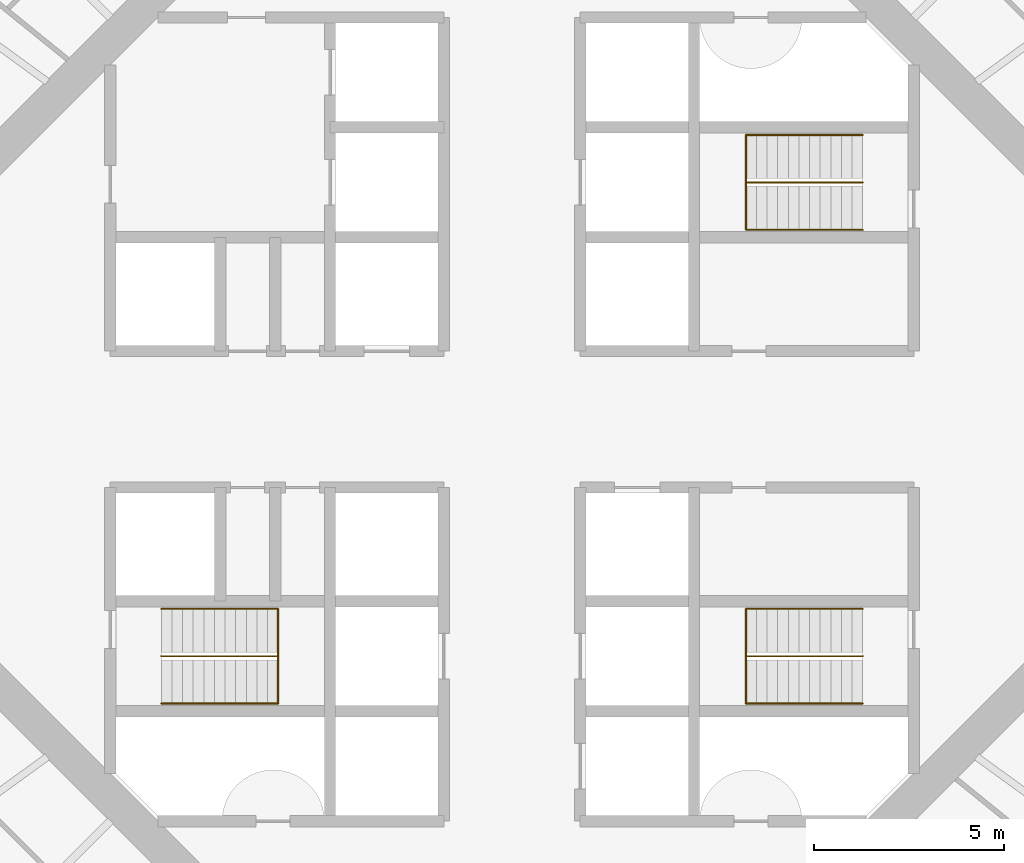
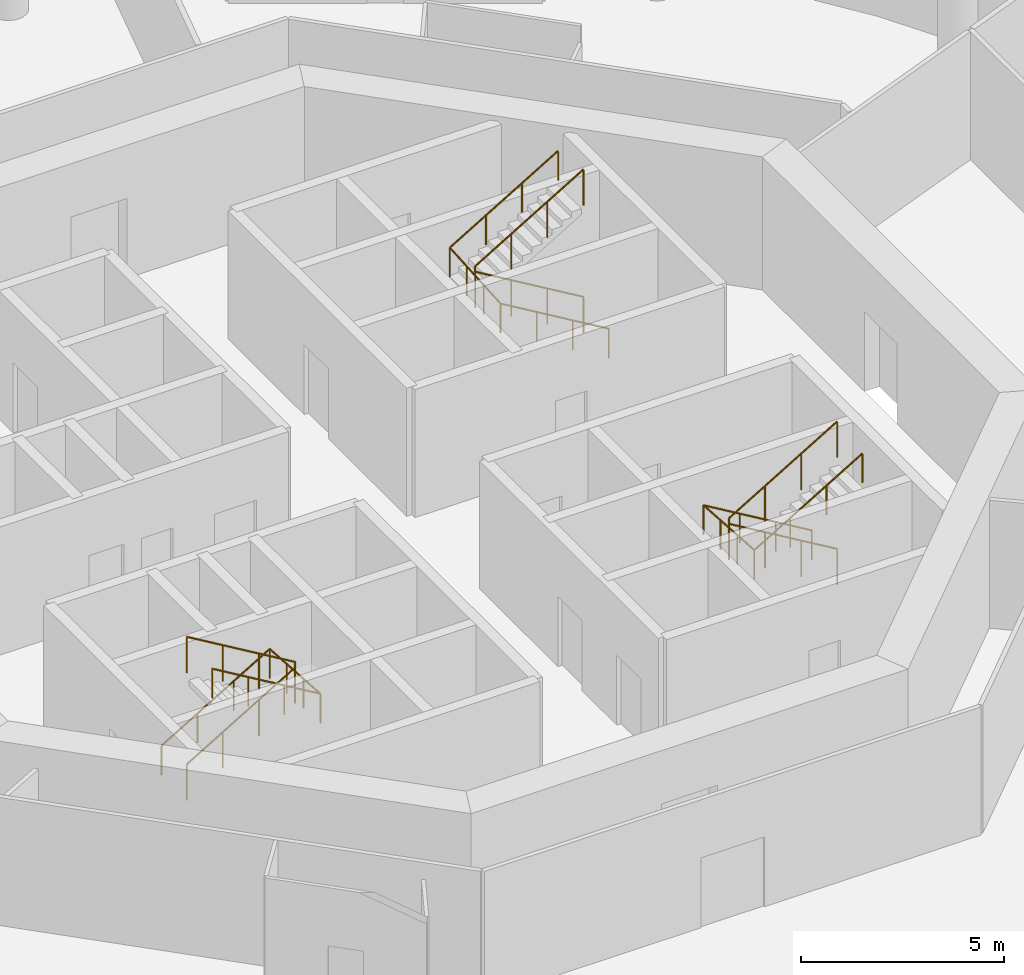
# One storey, part 12 of 12: 6 railings.
"""IFC4 building model written with IfcOpenShell, lengths in metres."""

from ifc_helpers import new_model, si_unit, direction, frame, origin, origin_2d, place, context, subcontext, project, spatial, circle, extrude, material, type_object, element, save


model = new_model("IFC4")

# Units and contexts
model_context = context("Model", 3, precision=1e-05, world=origin(), true_north=direction((0.0, 1.0)))
body_context = subcontext(model_context, "Body", "Model", "MODEL_VIEW")
ifc_project = project(units=[si_unit("LENGTHUNIT", "METRE"), si_unit("AREAUNIT", "SQUARE_METRE"), si_unit("VOLUMEUNIT", "CUBIC_METRE"), si_unit("PLANEANGLEUNIT", "RADIAN"), si_unit("MASSUNIT", "GRAM", prefix="KILO")], contexts=[model_context])

# Site, building, storey
site_placement = place(None, origin())
site = spatial("IfcSite", under=ifc_project, at=site_placement, CompositionType="ELEMENT")
building_placement = place(site_placement, origin())
building = spatial("IfcBuilding", under=site, at=building_placement, Name="Entoto Ring Tower", CompositionType="ELEMENT")
storey_placement = place(building_placement, frame((0.0, 0.0, 206.0)))
storey = spatial("IfcBuildingStorey", under=building, at=storey_placement, Name="L47", CompositionType="ELEMENT", Elevation=206.0)

# Railings
ifc_material_1 = material(Name="Steel S275", Category="steel")
railing_type_1 = type_object("IfcRailingType", Name="Stair guard 1100 mm steel", PredefinedType="GUARDRAIL", material=ifc_material_1)
railing_1_placement = place(storey_placement, frame((99.25, 86.25, 0.166748046875)))
element("IfcRailing", 1, at=railing_1_placement, inside=storey, type_object=railing_type_1, Name="Guard ST1", PredefinedType="GUARDRAIL", context=body_context, shape_type="SweptSolid", body=[
    extrude(circle(Radius=0.02392578125, at=origin_2d()), frame((0.0, 0.0, 1.076171875), z_axis=(-0.859308565015, 0.0, 0.511457515432), x_axis=(0.0, -1.0, 0.0)), (0.0, 0.0, 1.0), 3.58447265625),
    extrude(circle(Radius=0.02392578125, at=origin_2d()), frame((-3.080078125, 0.0, 2.9091796875), z_axis=(0.0, 0.0, 1.0), x_axis=(1.0, 0.0, 0.0)), (0.0, 0.0, 1.0), 0.166748046875),
    extrude(circle(Radius=0.02392578125, at=origin_2d()), frame((-3.080078125, 0.0, 3.076171875), z_axis=(0.859308565015, 0.0, 0.511457515432), x_axis=(0.0, 1.0, 0.0)), (0.0, 0.0, 1.0), 3.58447265625),
    extrude(circle(Radius=0.02099609375, at=origin_2d()), origin(), (0.0, 0.0, 1.0), 1.052001953125),
    extrude(circle(Radius=0.02099609375, at=origin_2d()), frame((-1.026611328125, 0.0, 0.611083984375)), (0.0, 0.0, 1.0), 1.052001953125),
    extrude(circle(Radius=0.02099609375, at=origin_2d()), frame((-2.053466796875, 0.0, 1.22216796875)), (0.0, 0.0, 1.0), 1.052001953125),
    extrude(circle(Radius=0.02099609375, at=origin_2d()), frame((-3.080078125, 0.0, 1.833251953125)), (0.0, 0.0, 1.0), 1.052001953125),
    extrude(circle(Radius=0.02099609375, at=origin_2d()), frame((-3.080078125, 0.0, 2.0)), (0.0, 0.0, 1.0), 1.052001953125),
    extrude(circle(Radius=0.02099609375, at=origin_2d()), frame((-2.053466796875, 0.0, 2.611083984375)), (0.0, 0.0, 1.0), 1.052001953125),
    extrude(circle(Radius=0.02099609375, at=origin_2d()), frame((-1.026611328125, 0.0, 3.22216796875)), (0.0, 0.0, 1.0), 1.052001953125),
    extrude(circle(Radius=0.02099609375, at=origin_2d()), frame((0.0, 0.0, 3.833251953125)), (0.0, 0.0, 1.0), 1.052001953125),
])
railing_2_placement = place(storey_placement, frame((80.75, 73.75, 0.166748046875)))
element("IfcRailing", 2, at=railing_2_placement, inside=storey, type_object=railing_type_1, Name="Guard ST2", PredefinedType="GUARDRAIL", context=body_context, shape_type="SweptSolid", body=[
    extrude(circle(Radius=0.02392578125, at=origin_2d()), frame((0.0, 0.0, 1.076171875), z_axis=(0.859308565015, 0.0, 0.511457515432), x_axis=(0.0, 1.0, 0.0)), (0.0, 0.0, 1.0), 3.58447265625),
    extrude(circle(Radius=0.02392578125, at=origin_2d()), frame((3.080078125, 0.0, 2.9091796875), z_axis=(0.0, 0.0, 1.0), x_axis=(1.0, 0.0, 0.0)), (0.0, 0.0, 1.0), 0.166748046875),
    extrude(circle(Radius=0.02392578125, at=origin_2d()), frame((3.080078125, 0.0, 3.076171875), z_axis=(-0.859308565015, 0.0, 0.511457515432), x_axis=(0.0, -1.0, 0.0)), (0.0, 0.0, 1.0), 3.58447265625),
    extrude(circle(Radius=0.02099609375, at=origin_2d()), origin(), (0.0, 0.0, 1.0), 1.052001953125),
    extrude(circle(Radius=0.02099609375, at=origin_2d()), frame((1.026611328125, 0.0, 0.611083984375)), (0.0, 0.0, 1.0), 1.052001953125),
    extrude(circle(Radius=0.02099609375, at=origin_2d()), frame((2.053466796875, 0.0, 1.22216796875)), (0.0, 0.0, 1.0), 1.052001953125),
    extrude(circle(Radius=0.02099609375, at=origin_2d()), frame((3.080078125, 0.0, 1.833251953125)), (0.0, 0.0, 1.0), 1.052001953125),
    extrude(circle(Radius=0.02099609375, at=origin_2d()), frame((3.080078125, 0.0, 2.0)), (0.0, 0.0, 1.0), 1.052001953125),
    extrude(circle(Radius=0.02099609375, at=origin_2d()), frame((2.053466796875, 0.0, 2.611083984375)), (0.0, 0.0, 1.0), 1.052001953125),
    extrude(circle(Radius=0.02099609375, at=origin_2d()), frame((1.026611328125, 0.0, 3.22216796875)), (0.0, 0.0, 1.0), 1.052001953125),
    extrude(circle(Radius=0.02099609375, at=origin_2d()), frame((0.0, 0.0, 3.833251953125)), (0.0, 0.0, 1.0), 1.052001953125),
])
railing_3_placement = place(storey_placement, frame((99.25, 73.75, 0.166748046875)))
element("IfcRailing", 3, at=railing_3_placement, inside=storey, type_object=railing_type_1, Name="Guard ST3", PredefinedType="GUARDRAIL", context=body_context, shape_type="SweptSolid", body=[
    extrude(circle(Radius=0.02392578125, at=origin_2d()), frame((0.0, 0.0, 1.076171875), z_axis=(-0.859308565015, 0.0, 0.511457515432), x_axis=(0.0, -1.0, 0.0)), (0.0, 0.0, 1.0), 3.58447265625),
    extrude(circle(Radius=0.02392578125, at=origin_2d()), frame((-3.080078125, 0.0, 2.9091796875), z_axis=(0.0, 0.0, 1.0), x_axis=(1.0, 0.0, 0.0)), (0.0, 0.0, 1.0), 0.166748046875),
    extrude(circle(Radius=0.02392578125, at=origin_2d()), frame((-3.080078125, 0.0, 3.076171875), z_axis=(0.859308565015, 0.0, 0.511457515432), x_axis=(0.0, 1.0, 0.0)), (0.0, 0.0, 1.0), 3.58447265625),
    extrude(circle(Radius=0.02099609375, at=origin_2d()), origin(), (0.0, 0.0, 1.0), 1.052001953125),
    extrude(circle(Radius=0.02099609375, at=origin_2d()), frame((-1.026611328125, 0.0, 0.611083984375)), (0.0, 0.0, 1.0), 1.052001953125),
    extrude(circle(Radius=0.02099609375, at=origin_2d()), frame((-2.053466796875, 0.0, 1.22216796875)), (0.0, 0.0, 1.0), 1.052001953125),
    extrude(circle(Radius=0.02099609375, at=origin_2d()), frame((-3.080078125, 0.0, 1.833251953125)), (0.0, 0.0, 1.0), 1.052001953125),
    extrude(circle(Radius=0.02099609375, at=origin_2d()), frame((-3.080078125, 0.0, 2.0)), (0.0, 0.0, 1.0), 1.052001953125),
    extrude(circle(Radius=0.02099609375, at=origin_2d()), frame((-2.053466796875, 0.0, 2.611083984375)), (0.0, 0.0, 1.0), 1.052001953125),
    extrude(circle(Radius=0.02099609375, at=origin_2d()), frame((-1.026611328125, 0.0, 3.22216796875)), (0.0, 0.0, 1.0), 1.052001953125),
    extrude(circle(Radius=0.02099609375, at=origin_2d()), frame((0.0, 0.0, 3.833251953125)), (0.0, 0.0, 1.0), 1.052001953125),
])
ifc_material_2 = material(Name="Steel S275", Category="steel")
railing_type_2 = type_object("IfcRailingType", Name="Stair handrail 900 mm steel", PredefinedType="HANDRAIL", material=ifc_material_2)
railing_4_placement = place(storey_placement, frame((99.25, 85.0, 0.166748046875)))
element("IfcRailing", 4, at=railing_4_placement, inside=storey, type_object=railing_type_2, Name="Handrail ST1", PredefinedType="HANDRAIL", context=body_context, shape_type="SweptSolid", body=[
    extrude(circle(Radius=0.02392578125, at=origin_2d()), frame((0.0, 0.0, 0.8759765625), z_axis=(-0.859308565015, 0.0, 0.511457515432), x_axis=(0.0, -1.0, 0.0)), (0.0, 0.0, 1.0), 3.58447265625),
    extrude(circle(Radius=0.02392578125, at=origin_2d()), frame((-3.080078125, 0.0, 2.708984375), z_axis=(0.0, 0.997783001586, 0.066551346688), x_axis=(-1.0, 0.0, 0.0)), (0.0, 0.0, 1.0), 2.505615234375),
    extrude(circle(Radius=0.02392578125, at=origin_2d()), frame((-3.080078125, 2.5, 2.8759765625), z_axis=(0.859308565015, 0.0, 0.511457515432), x_axis=(0.0, 1.0, 0.0)), (0.0, 0.0, 1.0), 3.58447265625),
    extrude(circle(Radius=0.02099609375, at=origin_2d()), origin(), (0.0, 0.0, 1.0), 0.851806640625),
    extrude(circle(Radius=0.02099609375, at=origin_2d()), frame((-1.026611328125, 0.0, 0.611083984375)), (0.0, 0.0, 1.0), 0.851806640625),
    extrude(circle(Radius=0.02099609375, at=origin_2d()), frame((-2.053466796875, 0.0, 1.22216796875)), (0.0, 0.0, 1.0), 0.851806640625),
    extrude(circle(Radius=0.02099609375, at=origin_2d()), frame((-3.080078125, 0.0, 1.833251953125)), (0.0, 0.0, 1.0), 0.851806640625),
    extrude(circle(Radius=0.02099609375, at=origin_2d()), frame((-3.080078125, 0.833251953125, 1.888916015625)), (0.0, 0.0, 1.0), 0.851806640625),
    extrude(circle(Radius=0.02099609375, at=origin_2d()), frame((-3.080078125, 1.666748046875, 1.9443359375)), (0.0, 0.0, 1.0), 0.851806640625),
    extrude(circle(Radius=0.02099609375, at=origin_2d()), frame((-3.080078125, 2.5, 2.0)), (0.0, 0.0, 1.0), 0.851806640625),
    extrude(circle(Radius=0.02099609375, at=origin_2d()), frame((-2.053466796875, 2.5, 2.611083984375)), (0.0, 0.0, 1.0), 0.851806640625),
    extrude(circle(Radius=0.02099609375, at=origin_2d()), frame((-1.026611328125, 2.5, 3.22216796875)), (0.0, 0.0, 1.0), 0.851806640625),
    extrude(circle(Radius=0.02099609375, at=origin_2d()), frame((0.0, 2.5, 3.833251953125)), (0.0, 0.0, 1.0), 0.851806640625),
])
railing_5_placement = place(storey_placement, frame((80.75, 75.0, 0.166748046875)))
element("IfcRailing", 5, at=railing_5_placement, inside=storey, type_object=railing_type_2, Name="Handrail ST2", PredefinedType="HANDRAIL", context=body_context, shape_type="SweptSolid", body=[
    extrude(circle(Radius=0.02392578125, at=origin_2d()), frame((0.0, 0.0, 0.8759765625), z_axis=(0.859308565015, 0.0, 0.511457515432), x_axis=(0.0, 1.0, 0.0)), (0.0, 0.0, 1.0), 3.58447265625),
    extrude(circle(Radius=0.02392578125, at=origin_2d()), frame((3.080078125, 0.0, 2.708984375), z_axis=(0.0, -0.997783001586, 0.066551346688), x_axis=(1.0, 0.0, 0.0)), (0.0, 0.0, 1.0), 2.505615234375),
    extrude(circle(Radius=0.02392578125, at=origin_2d()), frame((3.080078125, -2.5, 2.8759765625), z_axis=(-0.859308565015, 0.0, 0.511457515432), x_axis=(0.0, -1.0, 0.0)), (0.0, 0.0, 1.0), 3.58447265625),
    extrude(circle(Radius=0.02099609375, at=origin_2d()), origin(), (0.0, 0.0, 1.0), 0.851806640625),
    extrude(circle(Radius=0.02099609375, at=origin_2d()), frame((1.026611328125, 0.0, 0.611083984375)), (0.0, 0.0, 1.0), 0.851806640625),
    extrude(circle(Radius=0.02099609375, at=origin_2d()), frame((2.053466796875, 0.0, 1.22216796875)), (0.0, 0.0, 1.0), 0.851806640625),
    extrude(circle(Radius=0.02099609375, at=origin_2d()), frame((3.080078125, 0.0, 1.833251953125)), (0.0, 0.0, 1.0), 0.851806640625),
    extrude(circle(Radius=0.02099609375, at=origin_2d()), frame((3.080078125, -0.833251953125, 1.888916015625)), (0.0, 0.0, 1.0), 0.851806640625),
    extrude(circle(Radius=0.02099609375, at=origin_2d()), frame((3.080078125, -1.666748046875, 1.9443359375)), (0.0, 0.0, 1.0), 0.851806640625),
    extrude(circle(Radius=0.02099609375, at=origin_2d()), frame((3.080078125, -2.5, 2.0)), (0.0, 0.0, 1.0), 0.851806640625),
    extrude(circle(Radius=0.02099609375, at=origin_2d()), frame((2.053466796875, -2.5, 2.611083984375)), (0.0, 0.0, 1.0), 0.851806640625),
    extrude(circle(Radius=0.02099609375, at=origin_2d()), frame((1.026611328125, -2.5, 3.22216796875)), (0.0, 0.0, 1.0), 0.851806640625),
    extrude(circle(Radius=0.02099609375, at=origin_2d()), frame((0.0, -2.5, 3.833251953125)), (0.0, 0.0, 1.0), 0.851806640625),
])
railing_6_placement = place(storey_placement, frame((99.25, 75.0, 0.166748046875)))
element("IfcRailing", 6, at=railing_6_placement, inside=storey, type_object=railing_type_2, Name="Handrail ST3", PredefinedType="HANDRAIL", context=body_context, shape_type="SweptSolid", body=[
    extrude(circle(Radius=0.02392578125, at=origin_2d()), frame((0.0, 0.0, 0.8759765625), z_axis=(-0.859308565015, 0.0, 0.511457515432), x_axis=(0.0, -1.0, 0.0)), (0.0, 0.0, 1.0), 3.58447265625),
    extrude(circle(Radius=0.02392578125, at=origin_2d()), frame((-3.080078125, 0.0, 2.708984375), z_axis=(0.0, -0.997783001586, 0.066551346688), x_axis=(1.0, 0.0, 0.0)), (0.0, 0.0, 1.0), 2.505615234375),
    extrude(circle(Radius=0.02392578125, at=origin_2d()), frame((-3.080078125, -2.5, 2.8759765625), z_axis=(0.859308565015, 0.0, 0.511457515432), x_axis=(0.0, 1.0, 0.0)), (0.0, 0.0, 1.0), 3.58447265625),
    extrude(circle(Radius=0.02099609375, at=origin_2d()), origin(), (0.0, 0.0, 1.0), 0.851806640625),
    extrude(circle(Radius=0.02099609375, at=origin_2d()), frame((-1.026611328125, 0.0, 0.611083984375)), (0.0, 0.0, 1.0), 0.851806640625),
    extrude(circle(Radius=0.02099609375, at=origin_2d()), frame((-2.053466796875, 0.0, 1.22216796875)), (0.0, 0.0, 1.0), 0.851806640625),
    extrude(circle(Radius=0.02099609375, at=origin_2d()), frame((-3.080078125, 0.0, 1.833251953125)), (0.0, 0.0, 1.0), 0.851806640625),
    extrude(circle(Radius=0.02099609375, at=origin_2d()), frame((-3.080078125, -0.833251953125, 1.888916015625)), (0.0, 0.0, 1.0), 0.851806640625),
    extrude(circle(Radius=0.02099609375, at=origin_2d()), frame((-3.080078125, -1.666748046875, 1.9443359375)), (0.0, 0.0, 1.0), 0.851806640625),
    extrude(circle(Radius=0.02099609375, at=origin_2d()), frame((-3.080078125, -2.5, 2.0)), (0.0, 0.0, 1.0), 0.851806640625),
    extrude(circle(Radius=0.02099609375, at=origin_2d()), frame((-2.053466796875, -2.5, 2.611083984375)), (0.0, 0.0, 1.0), 0.851806640625),
    extrude(circle(Radius=0.02099609375, at=origin_2d()), frame((-1.026611328125, -2.5, 3.22216796875)), (0.0, 0.0, 1.0), 0.851806640625),
    extrude(circle(Radius=0.02099609375, at=origin_2d()), frame((0.0, -2.5, 3.833251953125)), (0.0, 0.0, 1.0), 0.851806640625),
])

save(model, "model.ifc")
